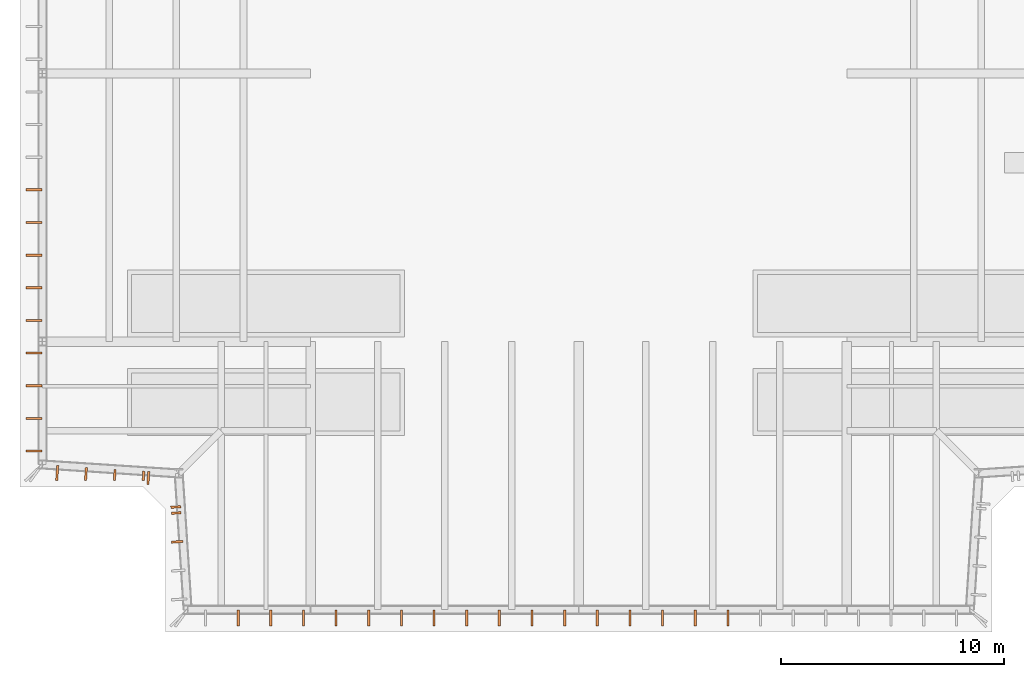
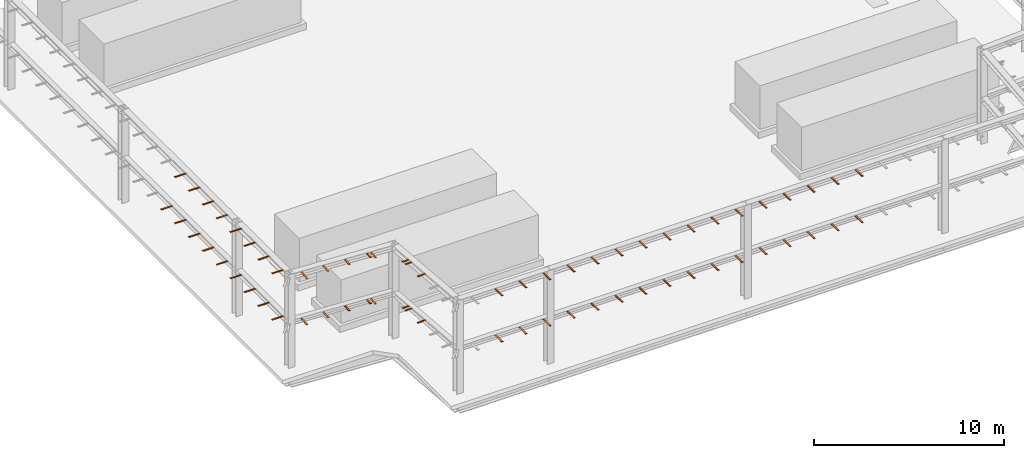
# One storey, part 4 of 8: 65 proxies.
"""IFC4 building model written with IfcOpenShell, lengths in metres."""

from ifc_helpers import new_model, si_unit, direction, frame, origin, origin_2d, place, context, subcontext, project, spatial, rectangle, extrude, material, material_profile, profile_set, type_object, element, save


model = new_model("IFC4")

# Units and contexts
model_context = context("Model", 3, precision=1e-05, world=origin(), true_north=direction((0.0, 1.0)))
body_context = subcontext(model_context, "Body", "Model", "MODEL_VIEW")
ifc_project = project(units=[si_unit("LENGTHUNIT", "METRE"), si_unit("AREAUNIT", "SQUARE_METRE"), si_unit("VOLUMEUNIT", "CUBIC_METRE"), si_unit("PLANEANGLEUNIT", "RADIAN"), si_unit("MASSUNIT", "GRAM", prefix="KILO")], contexts=[model_context])

# Site, building, storey
site_placement = place(None, origin())
site = spatial("IfcSite", under=ifc_project, at=site_placement, CompositionType="ELEMENT")
building_placement = place(site_placement, origin())
building = spatial("IfcBuilding", under=site, at=building_placement, Name="Fenwick Lantern Interchange", CompositionType="ELEMENT")
storey_placement = place(building_placement, frame((0.0, 0.0, 313.800048828125)))
storey = spatial("IfcBuildingStorey", under=building, at=storey_placement, Name="RF-A", CompositionType="ELEMENT", Elevation=313.800048828125)

# Proxies
ifc_material = material(Name="Steel ASTM A572 Grade 50", Category="steel")
ifc_material_profile = material_profile(ifc_material, rectangle(XDim=0.10009765625, YDim=0.011962890625, at=origin_2d()), Name="PL100X12")
ifc_profile_set = profile_set([ifc_material_profile], Name="Steel ASTM A572 Grade 50")
building_element_proxy_type = type_object("IfcBuildingElementProxyType", Name="LANTERN TIE BRACKET PL 100 X 12", PredefinedType="USERDEFINED", material=ifc_profile_set)
proxy_1_placement = place(storey_placement, frame((9.76171875, 0.27490234375, 2.84619140625), z_axis=(0.0, 1.0, 0.0), x_axis=(-1.0, 0.0, 0.0)))
element("IfcBuildingElementProxy", 1, at=proxy_1_placement, inside=storey, type_object=building_element_proxy_type, Name="Lantern tie bracket", ObjectType="LANTERN TIE BRACKET", PredefinedType="USERDEFINED", context=body_context, shape_type="SweptSolid", body=[
    extrude(rectangle(XDim=0.10009765625, YDim=0.011962890625, at=origin_2d()), origin(), (0.0, 0.0, 1.0), 0.72021484375),
])
proxy_2_placement = place(storey_placement, frame((9.76171875, 0.27490234375, 5.822265625), z_axis=(0.0, 1.0, 0.0), x_axis=(-1.0, 0.0, 0.0)))
element("IfcBuildingElementProxy", 2, at=proxy_2_placement, inside=storey, type_object=building_element_proxy_type, Name="Lantern tie bracket", ObjectType="LANTERN TIE BRACKET", PredefinedType="USERDEFINED", context=body_context, shape_type="SweptSolid", body=[
    extrude(rectangle(XDim=0.10009765625, YDim=0.011962890625, at=origin_2d()), origin(), (0.0, 0.0, 1.0), 0.719482421875),
])
proxy_3_placement = place(storey_placement, frame((11.222412109375, 0.27490234375, 2.84619140625), z_axis=(0.0, 1.0, 0.0), x_axis=(-1.0, 0.0, 0.0)))
element("IfcBuildingElementProxy", 3, at=proxy_3_placement, inside=storey, type_object=building_element_proxy_type, Name="Lantern tie bracket", ObjectType="LANTERN TIE BRACKET", PredefinedType="USERDEFINED", context=body_context, shape_type="SweptSolid", body=[
    extrude(rectangle(XDim=0.10009765625, YDim=0.011962890625, at=origin_2d()), origin(), (0.0, 0.0, 1.0), 0.72021484375),
])
proxy_4_placement = place(storey_placement, frame((11.222412109375, 0.27490234375, 5.822265625), z_axis=(0.0, 1.0, 0.0), x_axis=(-1.0, 0.0, 0.0)))
element("IfcBuildingElementProxy", 4, at=proxy_4_placement, inside=storey, type_object=building_element_proxy_type, Name="Lantern tie bracket", ObjectType="LANTERN TIE BRACKET", PredefinedType="USERDEFINED", context=body_context, shape_type="SweptSolid", body=[
    extrude(rectangle(XDim=0.10009765625, YDim=0.011962890625, at=origin_2d()), origin(), (0.0, 0.0, 1.0), 0.719482421875),
])
proxy_5_placement = place(storey_placement, frame((12.68310546875, 0.27490234375, 2.84619140625), z_axis=(0.0, 1.0, 0.0), x_axis=(-1.0, 0.0, 0.0)))
element("IfcBuildingElementProxy", 5, at=proxy_5_placement, inside=storey, type_object=building_element_proxy_type, Name="Lantern tie bracket", ObjectType="LANTERN TIE BRACKET", PredefinedType="USERDEFINED", context=body_context, shape_type="SweptSolid", body=[
    extrude(rectangle(XDim=0.10009765625, YDim=0.011962890625, at=origin_2d()), origin(), (0.0, 0.0, 1.0), 0.72021484375),
])
proxy_6_placement = place(storey_placement, frame((12.68310546875, 0.27490234375, 5.822265625), z_axis=(0.0, 1.0, 0.0), x_axis=(-1.0, 0.0, 0.0)))
element("IfcBuildingElementProxy", 6, at=proxy_6_placement, inside=storey, type_object=building_element_proxy_type, Name="Lantern tie bracket", ObjectType="LANTERN TIE BRACKET", PredefinedType="USERDEFINED", context=body_context, shape_type="SweptSolid", body=[
    extrude(rectangle(XDim=0.10009765625, YDim=0.011962890625, at=origin_2d()), origin(), (0.0, 0.0, 1.0), 0.719482421875),
])
proxy_7_placement = place(storey_placement, frame((14.14404296875, 0.27490234375, 2.84619140625), z_axis=(0.0, 1.0, 0.0), x_axis=(-1.0, 0.0, 0.0)))
element("IfcBuildingElementProxy", 7, at=proxy_7_placement, inside=storey, type_object=building_element_proxy_type, Name="Lantern tie bracket", ObjectType="LANTERN TIE BRACKET", PredefinedType="USERDEFINED", context=body_context, shape_type="SweptSolid", body=[
    extrude(rectangle(XDim=0.10009765625, YDim=0.011962890625, at=origin_2d()), origin(), (0.0, 0.0, 1.0), 0.72021484375),
])
proxy_8_placement = place(storey_placement, frame((14.14404296875, 0.27490234375, 5.822265625), z_axis=(0.0, 1.0, 0.0), x_axis=(-1.0, 0.0, 0.0)))
element("IfcBuildingElementProxy", 8, at=proxy_8_placement, inside=storey, type_object=building_element_proxy_type, Name="Lantern tie bracket", ObjectType="LANTERN TIE BRACKET", PredefinedType="USERDEFINED", context=body_context, shape_type="SweptSolid", body=[
    extrude(rectangle(XDim=0.10009765625, YDim=0.011962890625, at=origin_2d()), origin(), (0.0, 0.0, 1.0), 0.719482421875),
])
proxy_9_placement = place(storey_placement, frame((15.604736328125, 0.27490234375, 2.84619140625), z_axis=(0.0, 1.0, 0.0), x_axis=(-1.0, 0.0, 0.0)))
element("IfcBuildingElementProxy", 9, at=proxy_9_placement, inside=storey, type_object=building_element_proxy_type, Name="Lantern tie bracket", ObjectType="LANTERN TIE BRACKET", PredefinedType="USERDEFINED", context=body_context, shape_type="SweptSolid", body=[
    extrude(rectangle(XDim=0.10009765625, YDim=0.011962890625, at=origin_2d()), origin(), (0.0, 0.0, 1.0), 0.72021484375),
])
proxy_10_placement = place(storey_placement, frame((15.604736328125, 0.27490234375, 5.822265625), z_axis=(0.0, 1.0, 0.0), x_axis=(-1.0, 0.0, 0.0)))
element("IfcBuildingElementProxy", 10, at=proxy_10_placement, inside=storey, type_object=building_element_proxy_type, Name="Lantern tie bracket", ObjectType="LANTERN TIE BRACKET", PredefinedType="USERDEFINED", context=body_context, shape_type="SweptSolid", body=[
    extrude(rectangle(XDim=0.10009765625, YDim=0.011962890625, at=origin_2d()), origin(), (0.0, 0.0, 1.0), 0.719482421875),
])
proxy_11_placement = place(storey_placement, frame((17.065673828125, 0.27490234375, 2.84619140625), z_axis=(0.0, 1.0, 0.0), x_axis=(-1.0, 0.0, 0.0)))
element("IfcBuildingElementProxy", 11, at=proxy_11_placement, inside=storey, type_object=building_element_proxy_type, Name="Lantern tie bracket", ObjectType="LANTERN TIE BRACKET", PredefinedType="USERDEFINED", context=body_context, shape_type="SweptSolid", body=[
    extrude(rectangle(XDim=0.10009765625, YDim=0.011962890625, at=origin_2d()), origin(), (0.0, 0.0, 1.0), 0.72021484375),
])
proxy_12_placement = place(storey_placement, frame((17.065673828125, 0.27490234375, 5.822265625), z_axis=(0.0, 1.0, 0.0), x_axis=(-1.0, 0.0, 0.0)))
element("IfcBuildingElementProxy", 12, at=proxy_12_placement, inside=storey, type_object=building_element_proxy_type, Name="Lantern tie bracket", ObjectType="LANTERN TIE BRACKET", PredefinedType="USERDEFINED", context=body_context, shape_type="SweptSolid", body=[
    extrude(rectangle(XDim=0.10009765625, YDim=0.011962890625, at=origin_2d()), origin(), (0.0, 0.0, 1.0), 0.719482421875),
])
proxy_13_placement = place(storey_placement, frame((18.5263671875, 0.27490234375, 2.84619140625), z_axis=(0.0, 1.0, 0.0), x_axis=(-1.0, 0.0, 0.0)))
element("IfcBuildingElementProxy", 13, at=proxy_13_placement, inside=storey, type_object=building_element_proxy_type, Name="Lantern tie bracket", ObjectType="LANTERN TIE BRACKET", PredefinedType="USERDEFINED", context=body_context, shape_type="SweptSolid", body=[
    extrude(rectangle(XDim=0.10009765625, YDim=0.011962890625, at=origin_2d()), origin(), (0.0, 0.0, 1.0), 0.72021484375),
])
proxy_14_placement = place(storey_placement, frame((18.5263671875, 0.27490234375, 5.822265625), z_axis=(0.0, 1.0, 0.0), x_axis=(-1.0, 0.0, 0.0)))
element("IfcBuildingElementProxy", 14, at=proxy_14_placement, inside=storey, type_object=building_element_proxy_type, Name="Lantern tie bracket", ObjectType="LANTERN TIE BRACKET", PredefinedType="USERDEFINED", context=body_context, shape_type="SweptSolid", body=[
    extrude(rectangle(XDim=0.10009765625, YDim=0.011962890625, at=origin_2d()), origin(), (0.0, 0.0, 1.0), 0.719482421875),
])
proxy_15_placement = place(storey_placement, frame((19.9873046875, 0.27490234375, 2.84619140625), z_axis=(0.0, 1.0, 0.0), x_axis=(-1.0, 0.0, 0.0)))
element("IfcBuildingElementProxy", 15, at=proxy_15_placement, inside=storey, type_object=building_element_proxy_type, Name="Lantern tie bracket", ObjectType="LANTERN TIE BRACKET", PredefinedType="USERDEFINED", context=body_context, shape_type="SweptSolid", body=[
    extrude(rectangle(XDim=0.10009765625, YDim=0.011962890625, at=origin_2d()), origin(), (0.0, 0.0, 1.0), 0.72021484375),
])
proxy_16_placement = place(storey_placement, frame((19.9873046875, 0.27490234375, 5.822265625), z_axis=(0.0, 1.0, 0.0), x_axis=(-1.0, 0.0, 0.0)))
element("IfcBuildingElementProxy", 16, at=proxy_16_placement, inside=storey, type_object=building_element_proxy_type, Name="Lantern tie bracket", ObjectType="LANTERN TIE BRACKET", PredefinedType="USERDEFINED", context=body_context, shape_type="SweptSolid", body=[
    extrude(rectangle(XDim=0.10009765625, YDim=0.011962890625, at=origin_2d()), origin(), (0.0, 0.0, 1.0), 0.719482421875),
])
proxy_17_placement = place(storey_placement, frame((21.447998046875, 0.27490234375, 2.84619140625), z_axis=(0.0, 1.0, 0.0), x_axis=(-1.0, 0.0, 0.0)))
element("IfcBuildingElementProxy", 17, at=proxy_17_placement, inside=storey, type_object=building_element_proxy_type, Name="Lantern tie bracket", ObjectType="LANTERN TIE BRACKET", PredefinedType="USERDEFINED", context=body_context, shape_type="SweptSolid", body=[
    extrude(rectangle(XDim=0.10009765625, YDim=0.011962890625, at=origin_2d()), origin(), (0.0, 0.0, 1.0), 0.72021484375),
])
proxy_18_placement = place(storey_placement, frame((21.447998046875, 0.27490234375, 5.822265625), z_axis=(0.0, 1.0, 0.0), x_axis=(-1.0, 0.0, 0.0)))
element("IfcBuildingElementProxy", 18, at=proxy_18_placement, inside=storey, type_object=building_element_proxy_type, Name="Lantern tie bracket", ObjectType="LANTERN TIE BRACKET", PredefinedType="USERDEFINED", context=body_context, shape_type="SweptSolid", body=[
    extrude(rectangle(XDim=0.10009765625, YDim=0.011962890625, at=origin_2d()), origin(), (0.0, 0.0, 1.0), 0.719482421875),
])
proxy_19_placement = place(storey_placement, frame((22.90869140625, 0.27490234375, 2.84619140625), z_axis=(0.0, 1.0, 0.0), x_axis=(-1.0, 0.0, 0.0)))
element("IfcBuildingElementProxy", 19, at=proxy_19_placement, inside=storey, type_object=building_element_proxy_type, Name="Lantern tie bracket", ObjectType="LANTERN TIE BRACKET", PredefinedType="USERDEFINED", context=body_context, shape_type="SweptSolid", body=[
    extrude(rectangle(XDim=0.10009765625, YDim=0.011962890625, at=origin_2d()), origin(), (0.0, 0.0, 1.0), 0.72021484375),
])
proxy_20_placement = place(storey_placement, frame((22.90869140625, 0.27490234375, 5.822265625), z_axis=(0.0, 1.0, 0.0), x_axis=(-1.0, 0.0, 0.0)))
element("IfcBuildingElementProxy", 20, at=proxy_20_placement, inside=storey, type_object=building_element_proxy_type, Name="Lantern tie bracket", ObjectType="LANTERN TIE BRACKET", PredefinedType="USERDEFINED", context=body_context, shape_type="SweptSolid", body=[
    extrude(rectangle(XDim=0.10009765625, YDim=0.011962890625, at=origin_2d()), origin(), (0.0, 0.0, 1.0), 0.719482421875),
])
proxy_21_placement = place(storey_placement, frame((24.36962890625, 0.27490234375, 2.84619140625), z_axis=(0.0, 1.0, 0.0), x_axis=(-1.0, 0.0, 0.0)))
element("IfcBuildingElementProxy", 21, at=proxy_21_placement, inside=storey, type_object=building_element_proxy_type, Name="Lantern tie bracket", ObjectType="LANTERN TIE BRACKET", PredefinedType="USERDEFINED", context=body_context, shape_type="SweptSolid", body=[
    extrude(rectangle(XDim=0.10009765625, YDim=0.011962890625, at=origin_2d()), origin(), (0.0, 0.0, 1.0), 0.72021484375),
])
proxy_22_placement = place(storey_placement, frame((24.36962890625, 0.27490234375, 5.822265625), z_axis=(0.0, 1.0, 0.0), x_axis=(-1.0, 0.0, 0.0)))
element("IfcBuildingElementProxy", 22, at=proxy_22_placement, inside=storey, type_object=building_element_proxy_type, Name="Lantern tie bracket", ObjectType="LANTERN TIE BRACKET", PredefinedType="USERDEFINED", context=body_context, shape_type="SweptSolid", body=[
    extrude(rectangle(XDim=0.10009765625, YDim=0.011962890625, at=origin_2d()), origin(), (0.0, 0.0, 1.0), 0.719482421875),
])
proxy_23_placement = place(storey_placement, frame((25.830322265625, 0.27490234375, 2.84619140625), z_axis=(0.0, 1.0, 0.0), x_axis=(-1.0, 0.0, 0.0)))
element("IfcBuildingElementProxy", 23, at=proxy_23_placement, inside=storey, type_object=building_element_proxy_type, Name="Lantern tie bracket", ObjectType="LANTERN TIE BRACKET", PredefinedType="USERDEFINED", context=body_context, shape_type="SweptSolid", body=[
    extrude(rectangle(XDim=0.10009765625, YDim=0.011962890625, at=origin_2d()), origin(), (0.0, 0.0, 1.0), 0.72021484375),
])
proxy_24_placement = place(storey_placement, frame((25.830322265625, 0.27490234375, 5.822265625), z_axis=(0.0, 1.0, 0.0), x_axis=(-1.0, 0.0, 0.0)))
element("IfcBuildingElementProxy", 24, at=proxy_24_placement, inside=storey, type_object=building_element_proxy_type, Name="Lantern tie bracket", ObjectType="LANTERN TIE BRACKET", PredefinedType="USERDEFINED", context=body_context, shape_type="SweptSolid", body=[
    extrude(rectangle(XDim=0.10009765625, YDim=0.011962890625, at=origin_2d()), origin(), (0.0, 0.0, 1.0), 0.719482421875),
])
proxy_25_placement = place(storey_placement, frame((27.291259765625, 0.27490234375, 2.84619140625), z_axis=(0.0, 1.0, 0.0), x_axis=(-1.0, 0.0, 0.0)))
element("IfcBuildingElementProxy", 25, at=proxy_25_placement, inside=storey, type_object=building_element_proxy_type, Name="Lantern tie bracket", ObjectType="LANTERN TIE BRACKET", PredefinedType="USERDEFINED", context=body_context, shape_type="SweptSolid", body=[
    extrude(rectangle(XDim=0.10009765625, YDim=0.011962890625, at=origin_2d()), origin(), (0.0, 0.0, 1.0), 0.72021484375),
])
proxy_26_placement = place(storey_placement, frame((27.291259765625, 0.27490234375, 5.822265625), z_axis=(0.0, 1.0, 0.0), x_axis=(-1.0, 0.0, 0.0)))
element("IfcBuildingElementProxy", 26, at=proxy_26_placement, inside=storey, type_object=building_element_proxy_type, Name="Lantern tie bracket", ObjectType="LANTERN TIE BRACKET", PredefinedType="USERDEFINED", context=body_context, shape_type="SweptSolid", body=[
    extrude(rectangle(XDim=0.10009765625, YDim=0.011962890625, at=origin_2d()), origin(), (0.0, 0.0, 1.0), 0.719482421875),
])
proxy_27_placement = place(storey_placement, frame((28.751953125, 0.27490234375, 2.84619140625), z_axis=(0.0, 1.0, 0.0), x_axis=(-1.0, 0.0, 0.0)))
element("IfcBuildingElementProxy", 27, at=proxy_27_placement, inside=storey, type_object=building_element_proxy_type, Name="Lantern tie bracket", ObjectType="LANTERN TIE BRACKET", PredefinedType="USERDEFINED", context=body_context, shape_type="SweptSolid", body=[
    extrude(rectangle(XDim=0.10009765625, YDim=0.011962890625, at=origin_2d()), origin(), (0.0, 0.0, 1.0), 0.72021484375),
])
proxy_28_placement = place(storey_placement, frame((28.751953125, 0.27490234375, 5.822265625), z_axis=(0.0, 1.0, 0.0), x_axis=(-1.0, 0.0, 0.0)))
element("IfcBuildingElementProxy", 28, at=proxy_28_placement, inside=storey, type_object=building_element_proxy_type, Name="Lantern tie bracket", ObjectType="LANTERN TIE BRACKET", PredefinedType="USERDEFINED", context=body_context, shape_type="SweptSolid", body=[
    extrude(rectangle(XDim=0.10009765625, YDim=0.011962890625, at=origin_2d()), origin(), (0.0, 0.0, 1.0), 0.719482421875),
])
proxy_29_placement = place(storey_placement, frame((30.212890625, 0.27490234375, 2.84619140625), z_axis=(0.0, 1.0, 0.0), x_axis=(-1.0, 0.0, 0.0)))
element("IfcBuildingElementProxy", 29, at=proxy_29_placement, inside=storey, type_object=building_element_proxy_type, Name="Lantern tie bracket", ObjectType="LANTERN TIE BRACKET", PredefinedType="USERDEFINED", context=body_context, shape_type="SweptSolid", body=[
    extrude(rectangle(XDim=0.10009765625, YDim=0.011962890625, at=origin_2d()), origin(), (0.0, 0.0, 1.0), 0.72021484375),
])
proxy_30_placement = place(storey_placement, frame((30.212890625, 0.27490234375, 5.822265625), z_axis=(0.0, 1.0, 0.0), x_axis=(-1.0, 0.0, 0.0)))
element("IfcBuildingElementProxy", 30, at=proxy_30_placement, inside=storey, type_object=building_element_proxy_type, Name="Lantern tie bracket", ObjectType="LANTERN TIE BRACKET", PredefinedType="USERDEFINED", context=body_context, shape_type="SweptSolid", body=[
    extrude(rectangle(XDim=0.10009765625, YDim=0.011962890625, at=origin_2d()), origin(), (0.0, 0.0, 1.0), 0.719482421875),
])
proxy_31_placement = place(storey_placement, frame((31.673583984375, 0.27490234375, 2.84619140625), z_axis=(0.0, 1.0, 0.0), x_axis=(-1.0, 0.0, 0.0)))
element("IfcBuildingElementProxy", 31, at=proxy_31_placement, inside=storey, type_object=building_element_proxy_type, Name="Lantern tie bracket", ObjectType="LANTERN TIE BRACKET", PredefinedType="USERDEFINED", context=body_context, shape_type="SweptSolid", body=[
    extrude(rectangle(XDim=0.10009765625, YDim=0.011962890625, at=origin_2d()), origin(), (0.0, 0.0, 1.0), 0.72021484375),
])
proxy_32_placement = place(storey_placement, frame((31.673583984375, 0.27490234375, 5.822265625), z_axis=(0.0, 1.0, 0.0), x_axis=(-1.0, 0.0, 0.0)))
element("IfcBuildingElementProxy", 32, at=proxy_32_placement, inside=storey, type_object=building_element_proxy_type, Name="Lantern tie bracket", ObjectType="LANTERN TIE BRACKET", PredefinedType="USERDEFINED", context=body_context, shape_type="SweptSolid", body=[
    extrude(rectangle(XDim=0.10009765625, YDim=0.011962890625, at=origin_2d()), origin(), (0.0, 0.0, 1.0), 0.719482421875),
])
for number, where, z_axis, x_axis, name in (
    (33, (0.27490234375, 19.787109375, 2.84619140625), (1.0, 0.0, 0.0), (0.0, 1.0, 0.0), "Lantern tie bracket"),
    (34, (0.27490234375, 18.326416015625, 2.84619140625), (1.0, 0.0, 0.0), (0.0, 1.0, 0.0), "Lantern tie bracket"),
):
    element("IfcBuildingElementProxy", number, at=place(storey_placement, frame(where, z_axis=z_axis, x_axis=x_axis)), inside=storey, type_object=building_element_proxy_type, Name=name, ObjectType="LANTERN TIE BRACKET", PredefinedType="USERDEFINED", context=body_context, shape_type="SweptSolid", body=[
        extrude(rectangle(XDim=0.10009765625, YDim=0.011962890625, at=origin_2d()), origin(), (0.0, 0.0, 1.0), 0.72021484375),
    ])
proxy_33_placement = place(storey_placement, frame((0.27490234375, 18.326416015625, 5.822265625), z_axis=(1.0, 0.0, 0.0), x_axis=(0.0, 1.0, 0.0)))
element("IfcBuildingElementProxy", 35, at=proxy_33_placement, inside=storey, type_object=building_element_proxy_type, Name="Lantern tie bracket", ObjectType="LANTERN TIE BRACKET", PredefinedType="USERDEFINED", context=body_context, shape_type="SweptSolid", body=[
    extrude(rectangle(XDim=0.10009765625, YDim=0.011962890625, at=origin_2d()), origin(), (0.0, 0.0, 1.0), 0.719482421875),
])
proxy_34_placement = place(storey_placement, frame((0.27490234375, 16.865478515625, 2.84619140625), z_axis=(1.0, 0.0, 0.0), x_axis=(0.0, 1.0, 0.0)))
element("IfcBuildingElementProxy", 36, at=proxy_34_placement, inside=storey, type_object=building_element_proxy_type, Name="Lantern tie bracket", ObjectType="LANTERN TIE BRACKET", PredefinedType="USERDEFINED", context=body_context, shape_type="SweptSolid", body=[
    extrude(rectangle(XDim=0.10009765625, YDim=0.011962890625, at=origin_2d()), origin(), (0.0, 0.0, 1.0), 0.72021484375),
])
proxy_35_placement = place(storey_placement, frame((0.27490234375, 16.865478515625, 5.822265625), z_axis=(1.0, 0.0, 0.0), x_axis=(0.0, 1.0, 0.0)))
element("IfcBuildingElementProxy", 37, at=proxy_35_placement, inside=storey, type_object=building_element_proxy_type, Name="Lantern tie bracket", ObjectType="LANTERN TIE BRACKET", PredefinedType="USERDEFINED", context=body_context, shape_type="SweptSolid", body=[
    extrude(rectangle(XDim=0.10009765625, YDim=0.011962890625, at=origin_2d()), origin(), (0.0, 0.0, 1.0), 0.719482421875),
])
proxy_36_placement = place(storey_placement, frame((0.27490234375, 15.40478515625, 2.84619140625), z_axis=(1.0, 0.0, 0.0), x_axis=(0.0, 1.0, 0.0)))
element("IfcBuildingElementProxy", 38, at=proxy_36_placement, inside=storey, type_object=building_element_proxy_type, Name="Lantern tie bracket", ObjectType="LANTERN TIE BRACKET", PredefinedType="USERDEFINED", context=body_context, shape_type="SweptSolid", body=[
    extrude(rectangle(XDim=0.10009765625, YDim=0.011962890625, at=origin_2d()), origin(), (0.0, 0.0, 1.0), 0.72021484375),
])
proxy_37_placement = place(storey_placement, frame((0.27490234375, 15.40478515625, 5.822265625), z_axis=(1.0, 0.0, 0.0), x_axis=(0.0, 1.0, 0.0)))
element("IfcBuildingElementProxy", 39, at=proxy_37_placement, inside=storey, type_object=building_element_proxy_type, Name="Lantern tie bracket", ObjectType="LANTERN TIE BRACKET", PredefinedType="USERDEFINED", context=body_context, shape_type="SweptSolid", body=[
    extrude(rectangle(XDim=0.10009765625, YDim=0.011962890625, at=origin_2d()), origin(), (0.0, 0.0, 1.0), 0.719482421875),
])
proxy_38_placement = place(storey_placement, frame((0.27490234375, 13.944091796875, 2.84619140625), z_axis=(1.0, 0.0, 0.0), x_axis=(0.0, 1.0, 0.0)))
element("IfcBuildingElementProxy", 40, at=proxy_38_placement, inside=storey, type_object=building_element_proxy_type, Name="Lantern tie bracket", ObjectType="LANTERN TIE BRACKET", PredefinedType="USERDEFINED", context=body_context, shape_type="SweptSolid", body=[
    extrude(rectangle(XDim=0.10009765625, YDim=0.011962890625, at=origin_2d()), origin(), (0.0, 0.0, 1.0), 0.72021484375),
])
proxy_39_placement = place(storey_placement, frame((0.27490234375, 13.944091796875, 5.822265625), z_axis=(1.0, 0.0, 0.0), x_axis=(0.0, 1.0, 0.0)))
element("IfcBuildingElementProxy", 41, at=proxy_39_placement, inside=storey, type_object=building_element_proxy_type, Name="Lantern tie bracket", ObjectType="LANTERN TIE BRACKET", PredefinedType="USERDEFINED", context=body_context, shape_type="SweptSolid", body=[
    extrude(rectangle(XDim=0.10009765625, YDim=0.011962890625, at=origin_2d()), origin(), (0.0, 0.0, 1.0), 0.719482421875),
])
proxy_40_placement = place(storey_placement, frame((0.27490234375, 12.483154296875, 2.84619140625), z_axis=(1.0, 0.0, 0.0), x_axis=(0.0, 1.0, 0.0)))
element("IfcBuildingElementProxy", 42, at=proxy_40_placement, inside=storey, type_object=building_element_proxy_type, Name="Lantern tie bracket", ObjectType="LANTERN TIE BRACKET", PredefinedType="USERDEFINED", context=body_context, shape_type="SweptSolid", body=[
    extrude(rectangle(XDim=0.10009765625, YDim=0.011962890625, at=origin_2d()), origin(), (0.0, 0.0, 1.0), 0.72021484375),
])
proxy_41_placement = place(storey_placement, frame((0.27490234375, 12.483154296875, 5.822265625), z_axis=(1.0, 0.0, 0.0), x_axis=(0.0, 1.0, 0.0)))
element("IfcBuildingElementProxy", 43, at=proxy_41_placement, inside=storey, type_object=building_element_proxy_type, Name="Lantern tie bracket", ObjectType="LANTERN TIE BRACKET", PredefinedType="USERDEFINED", context=body_context, shape_type="SweptSolid", body=[
    extrude(rectangle(XDim=0.10009765625, YDim=0.011962890625, at=origin_2d()), origin(), (0.0, 0.0, 1.0), 0.719482421875),
])
proxy_42_placement = place(storey_placement, frame((0.27490234375, 11.0224609375, 2.84619140625), z_axis=(1.0, 0.0, 0.0), x_axis=(0.0, 1.0, 0.0)))
element("IfcBuildingElementProxy", 44, at=proxy_42_placement, inside=storey, type_object=building_element_proxy_type, Name="Lantern tie bracket", ObjectType="LANTERN TIE BRACKET", PredefinedType="USERDEFINED", context=body_context, shape_type="SweptSolid", body=[
    extrude(rectangle(XDim=0.10009765625, YDim=0.011962890625, at=origin_2d()), origin(), (0.0, 0.0, 1.0), 0.72021484375),
])
proxy_43_placement = place(storey_placement, frame((0.27490234375, 11.0224609375, 5.822265625), z_axis=(1.0, 0.0, 0.0), x_axis=(0.0, 1.0, 0.0)))
element("IfcBuildingElementProxy", 45, at=proxy_43_placement, inside=storey, type_object=building_element_proxy_type, Name="Lantern tie bracket", ObjectType="LANTERN TIE BRACKET", PredefinedType="USERDEFINED", context=body_context, shape_type="SweptSolid", body=[
    extrude(rectangle(XDim=0.10009765625, YDim=0.011962890625, at=origin_2d()), origin(), (0.0, 0.0, 1.0), 0.719482421875),
])
proxy_44_placement = place(storey_placement, frame((0.27490234375, 9.5615234375, 2.84619140625), z_axis=(1.0, 0.0, 0.0), x_axis=(0.0, 1.0, 0.0)))
element("IfcBuildingElementProxy", 46, at=proxy_44_placement, inside=storey, type_object=building_element_proxy_type, Name="Lantern tie bracket", ObjectType="LANTERN TIE BRACKET", PredefinedType="USERDEFINED", context=body_context, shape_type="SweptSolid", body=[
    extrude(rectangle(XDim=0.10009765625, YDim=0.011962890625, at=origin_2d()), origin(), (0.0, 0.0, 1.0), 0.72021484375),
])
proxy_45_placement = place(storey_placement, frame((0.27490234375, 9.5615234375, 5.822265625), z_axis=(1.0, 0.0, 0.0), x_axis=(0.0, 1.0, 0.0)))
element("IfcBuildingElementProxy", 47, at=proxy_45_placement, inside=storey, type_object=building_element_proxy_type, Name="Lantern tie bracket", ObjectType="LANTERN TIE BRACKET", PredefinedType="USERDEFINED", context=body_context, shape_type="SweptSolid", body=[
    extrude(rectangle(XDim=0.10009765625, YDim=0.011962890625, at=origin_2d()), origin(), (0.0, 0.0, 1.0), 0.719482421875),
])
proxy_46_placement = place(storey_placement, frame((0.27490234375, 8.100830078125, 2.84619140625), z_axis=(1.0, 0.0, 0.0), x_axis=(0.0, 1.0, 0.0)))
element("IfcBuildingElementProxy", 48, at=proxy_46_placement, inside=storey, type_object=building_element_proxy_type, Name="Lantern tie bracket", ObjectType="LANTERN TIE BRACKET", PredefinedType="USERDEFINED", context=body_context, shape_type="SweptSolid", body=[
    extrude(rectangle(XDim=0.10009765625, YDim=0.011962890625, at=origin_2d()), origin(), (0.0, 0.0, 1.0), 0.72021484375),
])
proxy_47_placement = place(storey_placement, frame((0.27490234375, 8.100830078125, 5.822265625), z_axis=(1.0, 0.0, 0.0), x_axis=(0.0, 1.0, 0.0)))
element("IfcBuildingElementProxy", 49, at=proxy_47_placement, inside=storey, type_object=building_element_proxy_type, Name="Lantern tie bracket", ObjectType="LANTERN TIE BRACKET", PredefinedType="USERDEFINED", context=body_context, shape_type="SweptSolid", body=[
    extrude(rectangle(XDim=0.10009765625, YDim=0.011962890625, at=origin_2d()), origin(), (0.0, 0.0, 1.0), 0.719482421875),
])
proxy_48_placement = place(storey_placement, frame((1.641845703125, 6.774658203125, 2.84619140625), z_axis=(0.065297799588, 0.997865821325, 0.0), x_axis=(-0.997865821325, 0.065297799588, 0.0)))
element("IfcBuildingElementProxy", 50, at=proxy_48_placement, inside=storey, type_object=building_element_proxy_type, Name="Lantern tie bracket", ObjectType="LANTERN TIE BRACKET", PredefinedType="USERDEFINED", context=body_context, shape_type="SweptSolid", body=[
    extrude(rectangle(XDim=0.10009765625, YDim=0.011962890625, at=origin_2d()), origin(), (0.0, 0.0, 1.0), 0.6767578125),
])
proxy_49_placement = place(storey_placement, frame((1.641845703125, 6.774658203125, 5.822265625), z_axis=(0.06534484668, 0.997862741569, 0.0), x_axis=(-0.997862741569, 0.06534484668, 0.0)))
element("IfcBuildingElementProxy", 51, at=proxy_49_placement, inside=storey, type_object=building_element_proxy_type, Name="Lantern tie bracket", ObjectType="LANTERN TIE BRACKET", PredefinedType="USERDEFINED", context=body_context, shape_type="SweptSolid", body=[
    extrude(rectangle(XDim=0.10009765625, YDim=0.011962890625, at=origin_2d()), origin(), (0.0, 0.0, 1.0), 0.67626953125),
])
proxy_50_placement = place(storey_placement, frame((2.93212890625, 6.774658203125, 2.84619140625), z_axis=(0.06553416022, 0.997850326374, 0.0), x_axis=(-0.997850326374, 0.06553416022, 0.0)))
element("IfcBuildingElementProxy", 52, at=proxy_50_placement, inside=storey, type_object=building_element_proxy_type, Name="Lantern tie bracket", ObjectType="LANTERN TIE BRACKET", PredefinedType="USERDEFINED", context=body_context, shape_type="SweptSolid", body=[
    extrude(rectangle(XDim=0.10009765625, YDim=0.011962890625, at=origin_2d()), origin(), (0.0, 0.0, 1.0), 0.59228515625),
])
proxy_51_placement = place(storey_placement, frame((2.93212890625, 6.774658203125, 5.822265625), z_axis=(0.065588110085, 0.997846781733, 0.0), x_axis=(-0.997846781733, 0.065588110085, 0.0)))
element("IfcBuildingElementProxy", 53, at=proxy_51_placement, inside=storey, type_object=building_element_proxy_type, Name="Lantern tie bracket", ObjectType="LANTERN TIE BRACKET", PredefinedType="USERDEFINED", context=body_context, shape_type="SweptSolid", body=[
    extrude(rectangle(XDim=0.10009765625, YDim=0.011962890625, at=origin_2d()), origin(), (0.0, 0.0, 1.0), 0.591796875),
])
proxy_52_placement = place(storey_placement, frame((4.222412109375, 6.774658203125, 2.84619140625), z_axis=(0.065849062877, 0.99782959513, 0.0), x_axis=(-0.99782959513, 0.065849062877, 0.0)))
element("IfcBuildingElementProxy", 54, at=proxy_52_placement, inside=storey, type_object=building_element_proxy_type, Name="Lantern tie bracket", ObjectType="LANTERN TIE BRACKET", PredefinedType="USERDEFINED", context=body_context, shape_type="SweptSolid", body=[
    extrude(rectangle(XDim=0.10009765625, YDim=0.011962890625, at=origin_2d()), origin(), (0.0, 0.0, 1.0), 0.508056640625),
])
proxy_53_placement = place(storey_placement, frame((4.222412109375, 6.774658203125, 5.822265625), z_axis=(0.065433242561, 0.99785694905, 0.0), x_axis=(-0.99785694905, 0.065433242561, 0.0)))
element("IfcBuildingElementProxy", 55, at=proxy_53_placement, inside=storey, type_object=building_element_proxy_type, Name="Lantern tie bracket", ObjectType="LANTERN TIE BRACKET", PredefinedType="USERDEFINED", context=body_context, shape_type="SweptSolid", body=[
    extrude(rectangle(XDim=0.10009765625, YDim=0.011962890625, at=origin_2d()), origin(), (0.0, 0.0, 1.0), 0.50732421875),
])
proxy_54_placement = place(storey_placement, frame((5.512939453125, 6.774658203125, 2.84619140625), z_axis=(0.065141532023, 0.997876034789, 0.0), x_axis=(-0.997876034789, 0.065141532023, 0.0)))
element("IfcBuildingElementProxy", 56, at=proxy_54_placement, inside=storey, type_object=building_element_proxy_type, Name="Lantern tie bracket", ObjectType="LANTERN TIE BRACKET", PredefinedType="USERDEFINED", context=body_context, shape_type="SweptSolid", body=[
    extrude(rectangle(XDim=0.10009765625, YDim=0.011962890625, at=origin_2d()), origin(), (0.0, 0.0, 1.0), 0.423583984375),
])
proxy_55_placement = place(storey_placement, frame((5.512939453125, 6.774658203125, 5.822265625), z_axis=(0.065216563407, 0.997871133893, 0.0), x_axis=(-0.997871133893, 0.065216563407, 0.0)))
element("IfcBuildingElementProxy", 57, at=proxy_55_placement, inside=storey, type_object=building_element_proxy_type, Name="Lantern tie bracket", ObjectType="LANTERN TIE BRACKET", PredefinedType="USERDEFINED", context=body_context, shape_type="SweptSolid", body=[
    extrude(rectangle(XDim=0.10009765625, YDim=0.011962890625, at=origin_2d()), origin(), (0.0, 0.0, 1.0), 0.423095703125),
])
proxy_56_placement = place(storey_placement, frame((5.72265625, 6.60498046875, 2.84619140625), z_axis=(0.06534378358, 0.997862811186, 0.0), x_axis=(-0.997862811186, 0.06534378358, 0.0)))
element("IfcBuildingElementProxy", 58, at=proxy_56_placement, inside=storey, type_object=building_element_proxy_type, Name="Lantern tie bracket", ObjectType="LANTERN TIE BRACKET", PredefinedType="USERDEFINED", context=body_context, shape_type="SweptSolid", body=[
    extrude(rectangle(XDim=0.10009765625, YDim=0.011962890625, at=origin_2d()), origin(), (0.0, 0.0, 1.0), 0.5791015625),
])
proxy_57_placement = place(storey_placement, frame((5.72265625, 6.60498046875, 5.822265625), z_axis=(0.065426352424, 0.997857400839, 0.0), x_axis=(-0.997857400839, 0.065426352424, 0.0)))
element("IfcBuildingElementProxy", 59, at=proxy_57_placement, inside=storey, type_object=building_element_proxy_type, Name="Lantern tie bracket", ObjectType="LANTERN TIE BRACKET", PredefinedType="USERDEFINED", context=body_context, shape_type="SweptSolid", body=[
    extrude(rectangle(XDim=0.10009765625, YDim=0.011962890625, at=origin_2d()), origin(), (0.0, 0.0, 1.0), 0.578369140625),
])
proxy_58_placement = place(storey_placement, frame((6.746337890625, 5.5810546875, 2.84619140625), z_axis=(0.9978522722, 0.065504525527, 0.0), x_axis=(-0.065504525527, 0.9978522722, 0.0)))
element("IfcBuildingElementProxy", 60, at=proxy_58_placement, inside=storey, type_object=building_element_proxy_type, Name="Lantern tie bracket", ObjectType="LANTERN TIE BRACKET", PredefinedType="USERDEFINED", context=body_context, shape_type="SweptSolid", body=[
    extrude(rectangle(XDim=0.10009765625, YDim=0.011962890625, at=origin_2d()), origin(), (0.0, 0.0, 1.0), 0.447265625),
])
proxy_59_placement = place(storey_placement, frame((6.746337890625, 5.5810546875, 5.822265625), z_axis=(0.997847580041, 0.065575963639, 0.0), x_axis=(-0.065575963639, 0.997847580041, 0.0)))
element("IfcBuildingElementProxy", 61, at=proxy_59_placement, inside=storey, type_object=building_element_proxy_type, Name="Lantern tie bracket", ObjectType="LANTERN TIE BRACKET", PredefinedType="USERDEFINED", context=body_context, shape_type="SweptSolid", body=[
    extrude(rectangle(XDim=0.10009765625, YDim=0.011962890625, at=origin_2d()), origin(), (0.0, 0.0, 1.0), 0.44677734375),
])
proxy_60_placement = place(storey_placement, frame((6.774658203125, 5.31298828125, 2.84619140625), z_axis=(0.997858743776, 0.065405867239, 0.0), x_axis=(-0.065405867239, 0.997858743776, 0.0)))
element("IfcBuildingElementProxy", 62, at=proxy_60_placement, inside=storey, type_object=building_element_proxy_type, Name="Lantern tie bracket", ObjectType="LANTERN TIE BRACKET", PredefinedType="USERDEFINED", context=body_context, shape_type="SweptSolid", body=[
    extrude(rectangle(XDim=0.10009765625, YDim=0.011962890625, at=origin_2d()), origin(), (0.0, 0.0, 1.0), 0.436767578125),
])
proxy_61_placement = place(storey_placement, frame((6.774658203125, 5.31298828125, 5.822265625), z_axis=(0.997888004232, 0.064957917223, 0.0), x_axis=(-0.064957917223, 0.997888004232, 0.0)))
element("IfcBuildingElementProxy", 63, at=proxy_61_placement, inside=storey, type_object=building_element_proxy_type, Name="Lantern tie bracket", ObjectType="LANTERN TIE BRACKET", PredefinedType="USERDEFINED", context=body_context, shape_type="SweptSolid", body=[
    extrude(rectangle(XDim=0.10009765625, YDim=0.011962890625, at=origin_2d()), origin(), (0.0, 0.0, 1.0), 0.43603515625),
])
proxy_62_placement = place(storey_placement, frame((6.774658203125, 4.0224609375, 2.84619140625), z_axis=(0.997846908478, 0.065586181778, 0.0), x_axis=(-0.065586181778, 0.997846908478, 0.0)))
element("IfcBuildingElementProxy", 64, at=proxy_62_placement, inside=storey, type_object=building_element_proxy_type, Name="Lantern tie bracket", ObjectType="LANTERN TIE BRACKET", PredefinedType="USERDEFINED", context=body_context, shape_type="SweptSolid", body=[
    extrude(rectangle(XDim=0.10009765625, YDim=0.011962890625, at=origin_2d()), origin(), (0.0, 0.0, 1.0), 0.521240234375),
])
proxy_63_placement = place(storey_placement, frame((6.774658203125, 4.0224609375, 5.822265625), z_axis=(0.997840850265, 0.065678288217, 0.0), x_axis=(-0.065678288217, 0.997840850265, 0.0)))
element("IfcBuildingElementProxy", 65, at=proxy_63_placement, inside=storey, type_object=building_element_proxy_type, Name="Lantern tie bracket", ObjectType="LANTERN TIE BRACKET", PredefinedType="USERDEFINED", context=body_context, shape_type="SweptSolid", body=[
    extrude(rectangle(XDim=0.10009765625, YDim=0.011962890625, at=origin_2d()), origin(), (0.0, 0.0, 1.0), 0.5205078125),
])

save(model, "model.ifc")
